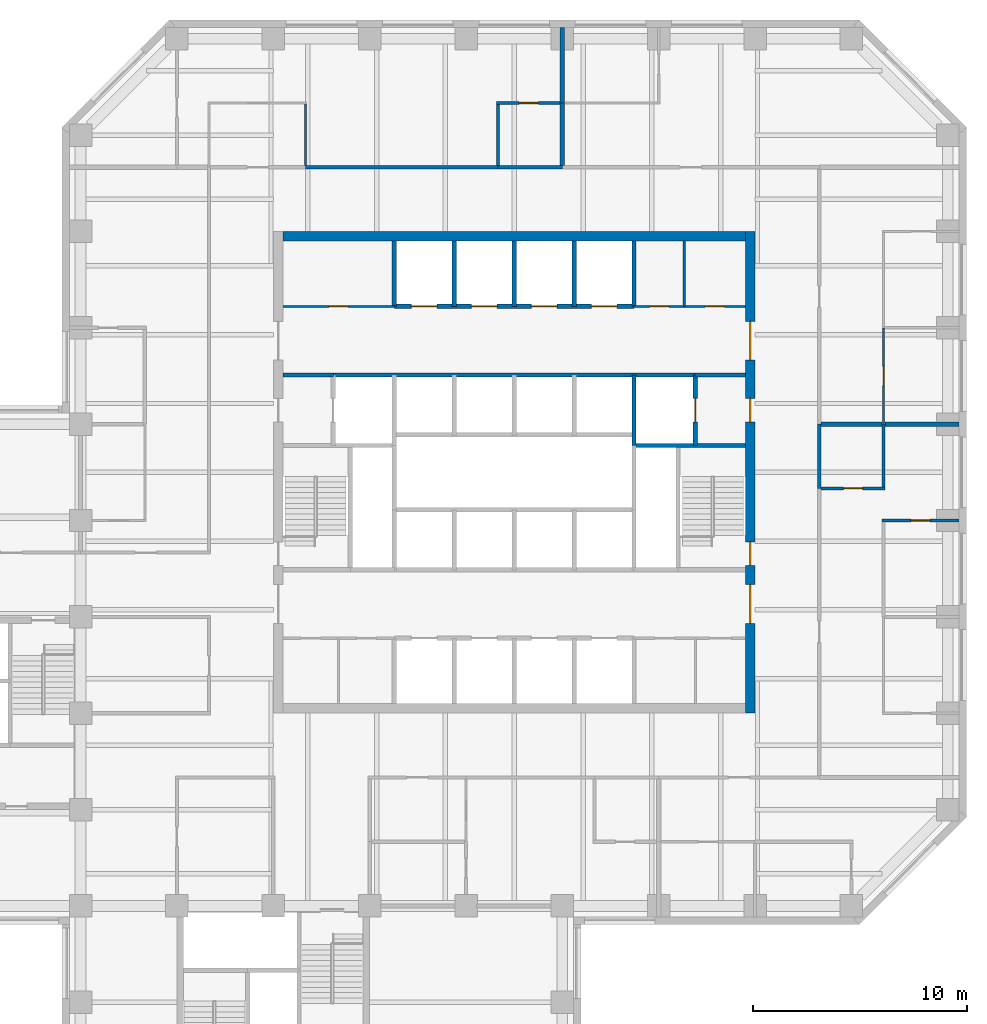
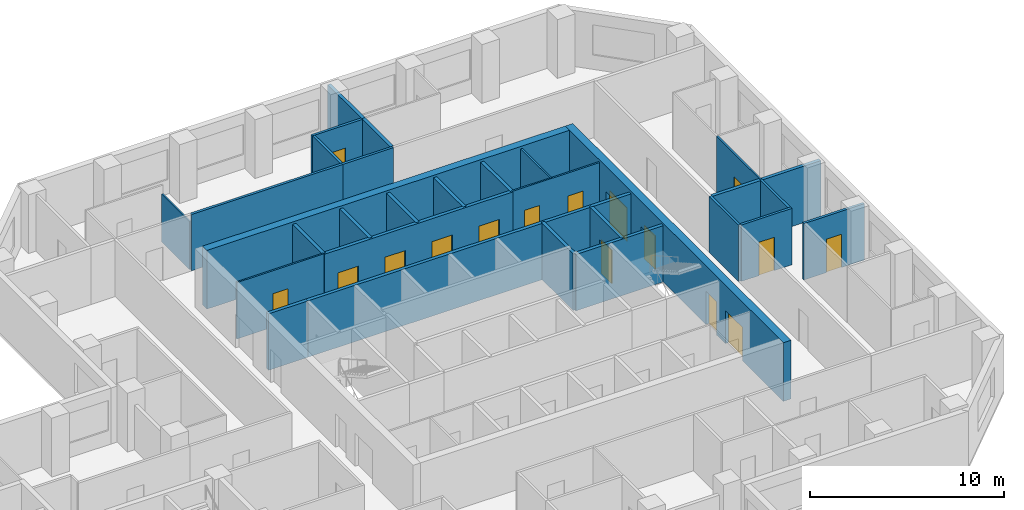
# One storey, part 8 of 11: 31 walls, 16 doors, 16 openings.
"""IFC4 building model written with IfcOpenShell, lengths in metres."""

import ifcopenshell
import ifcopenshell.guid

model = None  # the IFC model being written
_history = None  # IfcOwnerHistory: only IFC2X3 demands one
_inside = {}  # id of a spatial element -> (the spatial element, [elements in it])
_under = {}  # id of a project, library or spatial element -> (it, [spatial elements below it])
_declared = {}  # id of a project -> (the project, [libraries it declares])
_typed = {}  # id of a type object -> (the type object, [elements of that type])
_made_of = {}  # id of a material, layer set ... -> (it, [elements and type objects made of it])


def new_model(schema):
    """Start an empty IFC model of exactly this schema.

    Asked for "IFC4X3", IfcOpenShell would pick the latest addendum, in which some entities
    have other attributes; the version numbers below select the first issue.
    IFC2X3 requires an IfcOwnerHistory on every rooted entity: one is made here for all.
    """
    global model, _history
    if schema == "IFC4X3":
        model = ifcopenshell.file(schema_version=(4, 3, 0, 0))
    else:
        model = ifcopenshell.file(schema=schema)
    _inside.clear()
    _under.clear()
    _declared.clear()
    _typed.clear()
    _made_of.clear()
    _history = None
    if model.schema == "IFC2X3":
        org = make("IfcOrganization", Name="unknown")
        user = make(
            "IfcPersonAndOrganization",
            ThePerson=make("IfcPerson", FamilyName="unknown"),
            TheOrganization=org,
        )
        app = make(
            "IfcApplication",
            ApplicationDeveloper=org,
            Version="unknown",
            ApplicationFullName="unknown",
            ApplicationIdentifier="unknown",
        )
        _history = make(
            "IfcOwnerHistory",
            OwningUser=user,
            OwningApplication=app,
            ChangeAction="ADDED",
            CreationDate=0,
        )
    return model


def make(cls, **values):
    """One entity of the class cls with the attributes given. An attribute that is None is left unset."""
    return model.create_entity(
        cls, **{name: value for name, value in values.items() if value is not None}
    )


def rooted(cls, **values):
    """An entity with a GlobalId (a new one), such as an element, a storey or a relation."""
    return make(cls, GlobalId=ifcopenshell.guid.new(), OwnerHistory=_history, **values)


def si_unit(unit_type, name, prefix=None):
    """IfcSIUnit, for example si_unit("LENGTHUNIT", "METRE", prefix="MILLI")."""
    return make("IfcSIUnit", UnitType=unit_type, Prefix=prefix, Name=name)


def assignment(units):
    """IfcUnitAssignment: the units of a project."""
    return None if units is None else make("IfcUnitAssignment", Units=units)


def point(xyz):
    """IfcCartesianPoint."""
    return None if xyz is None else make("IfcCartesianPoint", Coordinates=xyz)


def direction(xyz):
    """IfcDirection."""
    return None if xyz is None else make("IfcDirection", DirectionRatios=xyz)


def frame(location, z_axis=None, x_axis=None):
    """IfcAxis2Placement3D, a coordinate frame: its origin and axes. An axis left out is left unset."""
    return make(
        "IfcAxis2Placement3D",
        Location=point(location),
        Axis=direction(z_axis),
        RefDirection=direction(x_axis),
    )


def frame_2d(location, x_axis=None):
    """IfcAxis2Placement2D, a coordinate frame in the plane: its origin and x axis."""
    return make(
        "IfcAxis2Placement2D", Location=point(location), RefDirection=direction(x_axis)
    )


def origin():
    """The frame at (0, 0, 0) with its axes left unset."""
    return frame((0.0, 0.0, 0.0))


def place(relative_to, where):
    """IfcLocalPlacement: puts the frame where relative to a parent placement (None: the world)."""
    return make(
        "IfcLocalPlacement", PlacementRelTo=relative_to, RelativePlacement=where
    )


def context(
    kind, dimensions, precision=None, world=None, true_north=None, identifier=None
):
    """IfcGeometricRepresentationContext, for example the 3D "Model" context."""
    return make(
        "IfcGeometricRepresentationContext",
        ContextIdentifier=identifier,
        ContextType=kind,
        CoordinateSpaceDimension=dimensions,
        Precision=precision,
        WorldCoordinateSystem=world,
        TrueNorth=true_north,
    )


def subcontext(parent, identifier, kind, view, scale=None):
    """IfcGeometricRepresentationSubContext, for example "Body" below "Model"."""
    return make(
        "IfcGeometricRepresentationSubContext",
        ContextIdentifier=identifier,
        ContextType=kind,
        ParentContext=parent,
        TargetScale=scale,
        TargetView=view,
    )


def project(units=None, contexts=None):
    """IfcProject with its units and contexts."""
    return rooted(
        "IfcProject",
        Name="project",
        RepresentationContexts=contexts,
        UnitsInContext=assignment(units),
    )


def spatial(cls, under=None, at=None, **own):
    """A site, building, storey or space (cls), placed at a placement, below another one or the project."""
    s = rooted(cls, ObjectPlacement=at, **own)
    if under is not None:
        _under.setdefault(under.id(), (under, []))[1].append(s)
    return s


def profile(cls, at=None, kind="AREA", **sizes):
    """A parametric profile (cls). Its sizes go by their IFC names, for example OverallWidth=200.0."""
    return make(cls, ProfileType=kind, Position=at, **sizes)


def rectangle(**sizes):
    """IfcRectangleProfileDef."""
    return profile("IfcRectangleProfileDef", **sizes)


def extrude(swept, where, along, depth):
    """IfcExtrudedAreaSolid: the profile swept, set in the frame where, extruded along a direction by depth."""
    return make(
        "IfcExtrudedAreaSolid",
        SweptArea=swept,
        Position=where,
        ExtrudedDirection=direction(along),
        Depth=depth,
    )


def shape(context_of_items, identifier, shape_type, items):
    """IfcShapeRepresentation: the items that make up one representation, for example the "Body"."""
    return make(
        "IfcShapeRepresentation",
        ContextOfItems=context_of_items,
        RepresentationIdentifier=identifier,
        RepresentationType=shape_type,
        Items=items,
    )


def material(Name=None, Category=None):
    """IfcMaterial."""
    return make("IfcMaterial", Name=Name, Category=Category)


def layer(
    of_material, thickness, ventilated=None, Name=None, Category=None, Priority=None
):
    """IfcMaterialLayer: one layer of a wall or slab, of a material (None: an air gap)."""
    return make(
        "IfcMaterialLayer",
        Material=of_material,
        LayerThickness=thickness,
        IsVentilated=ventilated,
        Name=Name,
        Category=Category,
        Priority=Priority,
    )


def layer_set(layers, Name=None):
    """IfcMaterialLayerSet."""
    return make("IfcMaterialLayerSet", MaterialLayers=layers, LayerSetName=Name)


def made_of(thing, what):
    """Note that an element or type object is made of a material, layer set ...; save() writes the relation."""
    if what is not None:
        _made_of.setdefault(what.id(), (what, []))[1].append(thing)
    return thing


def type_object(cls, material=None, **own):
    """A type object (cls), such as IfcWallType, which elements share."""
    return made_of(rooted(cls, **own), material)


def element(
    cls,
    number,
    at=None,
    inside=None,
    cuts=None,
    type_object=None,
    material=None,
    context=None,
    identifier="Body",
    shape_type=None,
    held_by="IfcProductDefinitionShape",
    body=None,
    shapes=None,
    **own,
):
    """One element of the class cls, such as IfcWall. Its Tag is "e" and its number.

    at: its placement. inside: the storey or other place that contains it. cuts: it is an
    opening in that element (IfcRelVoidsElement). A single representation is given by context,
    identifier, shape_type and body (its items); several are given by shapes. held_by: the class
    of the entity that holds the representations. save() writes the other relations.
    """
    e = rooted(cls, Tag="e%d" % number, ObjectPlacement=at, **own)
    if body is not None:
        shapes = [shape(context, identifier, shape_type, body)]
    if shapes is not None:
        e.Representation = make(held_by, Representations=shapes)
    if inside is not None:
        _inside.setdefault(inside.id(), (inside, []))[1].append(e)
    if cuts is not None:
        rooted(
            "IfcRelVoidsElement", RelatingBuildingElement=cuts, RelatedOpeningElement=e
        )
    if type_object is not None:
        _typed.setdefault(type_object.id(), (type_object, []))[1].append(e)
    return made_of(e, material)


def fill(opening, filler):
    """IfcRelFillsElement: the door or window that sits in an opening."""
    return rooted(
        "IfcRelFillsElement",
        RelatingOpeningElement=opening,
        RelatedBuildingElement=filler,
    )


def aggregate(whole, parts):
    """IfcRelAggregates: a whole, such as a stair, and the parts it consists of."""
    return rooted("IfcRelAggregates", RelatingObject=whole, RelatedObjects=parts)


def save(model, path):
    """Write the relations noted so far, then the file.

    IfcRelAggregates (storeys below a building ...), IfcRelContainedInSpatialStructure (elements
    in a storey), IfcRelDefinesByType, IfcRelAssociatesMaterial and IfcRelDeclares: one each for
    every whole, place, type object, material and project.
    """
    for whole, parts in _under.values():
        aggregate(whole, parts)
    for where, things in _inside.values():
        rooted(
            "IfcRelContainedInSpatialStructure",
            RelatedElements=things,
            RelatingStructure=where,
        )
    for kind, things in _typed.values():
        rooted("IfcRelDefinesByType", RelatedObjects=things, RelatingType=kind)
    for what, things in _made_of.values():
        rooted("IfcRelAssociatesMaterial", RelatedObjects=things, RelatingMaterial=what)
    for by, libraries in _declared.values():
        rooted("IfcRelDeclares", RelatingContext=by, RelatedDefinitions=libraries)
    model.write(path)


model = new_model("IFC4")

# Units and contexts
model_context = context("Model", 3, precision=1e-05, world=origin(), true_north=direction((0.0, 1.0)))
body_context = subcontext(model_context, "Body", "Model", "MODEL_VIEW")
ifc_project = project(units=[si_unit("LENGTHUNIT", "METRE"), si_unit("AREAUNIT", "SQUARE_METRE"), si_unit("VOLUMEUNIT", "CUBIC_METRE"), si_unit("PLANEANGLEUNIT", "RADIAN"), si_unit("MASSUNIT", "GRAM", prefix="KILO")], contexts=[model_context])

# Site, building, storey
site_placement = place(None, origin())
site = spatial("IfcSite", under=ifc_project, at=site_placement, CompositionType="ELEMENT")
building_placement = place(site_placement, origin())
building = spatial("IfcBuilding", under=site, at=building_placement, Name="Quoin Convention Tower", CompositionType="ELEMENT")
storey_placement = place(building_placement, frame((0.0, 0.0, 130.699951171875)))
storey = spatial("IfcBuildingStorey", under=building, at=storey_placement, Name="L34", CompositionType="ELEMENT", Elevation=130.699951171875)

# Wall, opening, door
ifc_material_1 = material(Name="Plasterboard")
ifc_layer_1 = layer(ifc_material_1, 0.012451171875, Name="Finish")
ifc_material_2 = material(Name="Steel stud framing", Category="steel")
ifc_layer_2 = layer(ifc_material_2, 0.125, Name="Structure")
ifc_layer_3 = layer(ifc_material_1, 0.012451171875, Name="Finish")
ifc_layer_set_1 = layer_set([ifc_layer_1, ifc_layer_2, ifc_layer_3], Name="Steel stud framing")
wall_type_1 = type_object("IfcWallType", Name="Acoustic partition 150", PredefinedType="PARTITIONING", material=ifc_layer_set_1)
wall_1_placement = place(storey_placement, frame((73.425048828125, 58.5, 0.0), z_axis=(0.0, 0.0, 1.0), x_axis=(1.0, 0.0, 0.0)))
wall_1 = element("IfcWall", 1, at=wall_1_placement, inside=storey, type_object=wall_type_1, Name="pw-L34-039", PredefinedType="PARTITIONING", context=body_context, shape_type="SweptSolid", body=[
    extrude(rectangle(XDim=3.599853515625, YDim=0.14990234375, at=frame_2d((1.7998046875, 0.0))), origin(), (0.0, 0.0, 1.0), 3.550048828125),
])
opening_1_placement = place(wall_1_placement, frame((1.35009765625, 0.0, 0.0)))
opening_1 = element("IfcOpeningElement", 2, at=opening_1_placement, cuts=wall_1, Name="Opening DOL7-17", PredefinedType="OPENING", context=body_context, shape_type="SweptSolid", body=[
    extrude(rectangle(XDim=0.89990234375, YDim=2.10009765625, at=frame_2d((0.449951171875, 1.050048828125))), frame((0.0, 0.0849609375, 0.0), z_axis=(0.0, -1.0, 0.0), x_axis=(1.0, 0.0, 0.0)), (0.0, 0.0, 1.0), 0.169921875),
])
ifc_material_3 = material(Name="Steel door leaf", Category="steel")
door_type_1 = type_object("IfcDoorType", Name="Office door 900 x 2100", OperationType="SINGLE_SWING_RIGHT", PredefinedType="DOOR", material=ifc_material_3)
door_1_placement = place(opening_1_placement, origin())
door_1 = element("IfcDoor", 3, at=door_1_placement, inside=storey, type_object=door_type_1, Name="dr-L34-28", OperationType="SINGLE_SWING_RIGHT", OverallHeight=2.10009765625, OverallWidth=0.89990234375, PredefinedType="DOOR", context=body_context, shape_type="SweptSolid", body=[
    extrude(rectangle(XDim=0.89990234375, YDim=2.10009765625, at=frame_2d((0.449951171875, 1.050048828125))), frame((0.0, 0.02490234375, 0.0), z_axis=(0.0, -1.0, 0.0), x_axis=(1.0, 0.0, 0.0)), (0.0, 0.0, 1.0), 0.050048828125),
])
fill(opening_1, door_1)

ifc_layer_4 = layer(ifc_material_1, 0.012451171875, Name="Finish")
ifc_layer_5 = layer(ifc_material_2, 0.074951171875, Name="Structure")
ifc_layer_6 = layer(ifc_material_1, 0.012451171875, Name="Finish")
ifc_layer_set_2 = layer_set([ifc_layer_4, ifc_layer_5, ifc_layer_6], Name="Steel stud framing")
wall_type_2 = type_object("IfcWallType", Name="Core partition wall", PredefinedType="PARTITIONING", material=ifc_layer_set_2)
wall_2_placement = place(storey_placement, frame((45.449951171875, 68.5, 0.0), z_axis=(0.0, 0.0, 1.0), x_axis=(1.0, 0.0, 0.0)))
wall_2 = element("IfcWall", 4, at=wall_2_placement, inside=storey, type_object=wall_type_2, Name="cr-C1-L34-h19000_450", PredefinedType="PARTITIONING", context=body_context, shape_type="SweptSolid", body=[
    extrude(rectangle(XDim=5.199951171875, YDim=0.10009765625, at=frame_2d((2.60009765625, 0.0))), origin(), (0.0, 0.0, 1.0), 3.550048828125),
])
opening_2_placement = place(wall_2_placement, frame((2.14990234375, 0.0, 0.0)))
opening_2 = element("IfcOpeningElement", 5, at=opening_2_placement, cuts=wall_2, Name="Opening DCV0-23", PredefinedType="OPENING", context=body_context, shape_type="SweptSolid", body=[
    extrude(rectangle(XDim=0.89990234375, YDim=2.10009765625, at=frame_2d((0.449951171875, 1.050048828125))), frame((0.0, 0.06005859375, 0.0), z_axis=(0.0, -1.0, 0.0), x_axis=(1.0, 0.0, 0.0)), (0.0, 0.0, 1.0), 0.1201171875),
])
door_type_2 = type_object("IfcDoorType", Name="Core room door 900 x 2100", OperationType="SINGLE_SWING_LEFT", PredefinedType="DOOR", material=ifc_material_3)
door_2_placement = place(opening_2_placement, origin())
door_2 = element("IfcDoor", 6, at=door_2_placement, inside=storey, type_object=door_type_2, Name="cd-C1-L34-CNW0-lobB-CD3409", OperationType="SINGLE_SWING_RIGHT", OverallHeight=2.10009765625, OverallWidth=0.89990234375, PredefinedType="DOOR", context=body_context, shape_type="SweptSolid", body=[
    extrude(rectangle(XDim=0.89990234375, YDim=2.10009765625, at=frame_2d((0.449951171875, 1.050048828125))), frame((0.0, 0.02490234375, 0.0), z_axis=(0.0, -1.0, 0.0), x_axis=(1.0, 0.0, 0.0)), (0.0, 0.0, 1.0), 0.050048828125),
])
fill(opening_2, door_2)

# Wall, openings, doors
wall_3_placement = place(storey_placement, frame((61.85009765625, 68.5, 0.0), z_axis=(0.0, 0.0, 1.0), x_axis=(1.0, 0.0, 0.0)))
wall_3 = element("IfcWall", 7, at=wall_3_placement, inside=storey, type_object=wall_type_2, Name="cr-C1-L34-h19000_16850", PredefinedType="PARTITIONING", context=body_context, shape_type="SweptSolid", body=[
    extrude(rectangle(XDim=5.199951171875, YDim=0.10009765625, at=frame_2d((2.60009765625, 0.0))), origin(), (0.0, 0.0, 1.0), 3.550048828125),
])
opening_3_placement = place(wall_3_placement, frame((3.320068359375, 0.0, 0.0)))
opening_3 = element("IfcOpeningElement", 8, at=opening_3_placement, cuts=wall_3, Name="Opening DCV0-09", PredefinedType="OPENING", context=body_context, shape_type="SweptSolid", body=[
    extrude(rectangle(XDim=0.89990234375, YDim=2.10009765625, at=frame_2d((0.449951171875, 1.050048828125))), frame((0.0, 0.06005859375, 0.0), z_axis=(0.0, -1.0, 0.0), x_axis=(1.0, 0.0, 0.0)), (0.0, 0.0, 1.0), 0.1201171875),
])
opening_4_placement = place(wall_3_placement, frame((0.719970703125, 0.0, 0.0)))
opening_4 = element("IfcOpeningElement", 9, at=opening_4_placement, cuts=wall_3, Name="Opening DCV0-06", PredefinedType="OPENING", context=body_context, shape_type="SweptSolid", body=[
    extrude(rectangle(XDim=0.89990234375, YDim=2.10009765625, at=frame_2d((0.449951171875, 1.050048828125))), frame((0.0, 0.06005859375, 0.0), z_axis=(0.0, -1.0, 0.0), x_axis=(1.0, 0.0, 0.0)), (0.0, 0.0, 1.0), 0.1201171875),
])
door_3_placement = place(opening_3_placement, origin())
door_3 = element("IfcDoor", 10, at=door_3_placement, inside=storey, type_object=door_type_2, Name="cd-C1-L34-CNE0-lobB-CD3407", OperationType="SINGLE_SWING_RIGHT", OverallHeight=2.10009765625, OverallWidth=0.89990234375, PredefinedType="DOOR", context=body_context, shape_type="SweptSolid", body=[
    extrude(rectangle(XDim=0.89990234375, YDim=2.10009765625, at=frame_2d((0.449951171875, 1.050048828125))), frame((0.0, 0.02490234375, 0.0), z_axis=(0.0, -1.0, 0.0), x_axis=(1.0, 0.0, 0.0)), (0.0, 0.0, 1.0), 0.050048828125),
])
fill(opening_3, door_3)
door_4_placement = place(opening_4_placement, origin())
door_4 = element("IfcDoor", 11, at=door_4_placement, inside=storey, type_object=door_type_2, Name="cd-C1-L34-CNE1-lobB-CD3408", OperationType="SINGLE_SWING_RIGHT", OverallHeight=2.10009765625, OverallWidth=0.89990234375, PredefinedType="DOOR", context=body_context, shape_type="SweptSolid", body=[
    extrude(rectangle(XDim=0.89990234375, YDim=2.10009765625, at=frame_2d((0.449951171875, 1.050048828125))), frame((0.0, 0.02490234375, 0.0), z_axis=(0.0, -1.0, 0.0), x_axis=(1.0, 0.0, 0.0)), (0.0, 0.0, 1.0), 0.050048828125),
])
fill(opening_4, door_4)

# Walls
wall_4_placement = place(storey_placement, frame((64.18994140625, 68.5, 0.0), z_axis=(0.0, 0.0, 1.0), x_axis=(0.0, 1.0, 0.0)))
element("IfcWall", 12, at=wall_4_placement, inside=storey, type_object=wall_type_2, Name="cr-C1-L34-v19190_19000", PredefinedType="PARTITIONING", context=body_context, shape_type="SweptSolid", body=[
    extrude(rectangle(XDim=3.050048828125, YDim=0.10009765625, at=frame_2d((1.52490234375, 0.0))), origin(), (0.0, 0.0, 1.0), 3.550048828125),
])
ifc_material_4 = material(Name="Concrete C50", Category="concrete")
ifc_layer_7 = layer(ifc_material_4, 0.199951171875)
ifc_layer_set_3 = layer_set([ifc_layer_7], Name="Concrete C50")
wall_type_3 = type_object("IfcWallType", Name="Core shaft wall", PredefinedType="SOLIDWALL", material=ifc_layer_set_3)
wall_5_placement = place(storey_placement, frame((61.85009765625, 62.0, 0.0), z_axis=(0.0, 0.0, 1.0), x_axis=(1.0, 0.0, 0.0)))
element("IfcWall", 13, at=wall_5_placement, inside=storey, type_object=wall_type_3, Name="cr-C1-L34-h12500_16850", PredefinedType="SOLIDWALL", context=body_context, shape_type="SweptSolid", body=[
    extrude(rectangle(XDim=5.199951171875, YDim=0.199951171875, at=frame_2d((2.60009765625, 0.0))), origin(), (0.0, 0.0, 1.0), 3.550048828125),
])
for number, where, z_axis, x_axis, name in (
    (14, (45.449951171875, 65.300048828125, 0.0), (0.0, 0.0, 1.0), (1.0, 0.0, 0.0), "cr-C1-L34-h15800_450"),
    (15, (64.699951171875, 65.300048828125, 0.0), (0.0, 0.0, 1.0), (1.0, 0.0, 0.0), "cr-C1-L34-h15800_19700"),
):
    element("IfcWall", number, at=place(storey_placement, frame(where, z_axis=z_axis, x_axis=x_axis)), inside=storey, type_object=wall_type_3, Name=name, PredefinedType="SOLIDWALL", context=body_context, shape_type="SweptSolid", body=[
        extrude(rectangle(XDim=2.35009765625, YDim=0.199951171875, at=frame_2d((1.175048828125, 0.0))), origin(), (0.0, 0.0, 1.0), 3.550048828125),
    ])
wall_6_placement = place(storey_placement, frame((47.800048828125, 65.300048828125, 0.0), z_axis=(0.0, 0.0, 1.0), x_axis=(1.0, 0.0, 0.0)))
element("IfcWall", 16, at=wall_6_placement, inside=storey, type_object=wall_type_3, Name="cr-C1-L34-h15800_2800", PredefinedType="SOLIDWALL", context=body_context, shape_type="SweptSolid", body=[
    extrude(rectangle(XDim=16.89990234375, YDim=0.199951171875, at=frame_2d((8.449951171875, 0.0))), origin(), (0.0, 0.0, 1.0), 3.550048828125),
])

# Wall, openings, doors
wall_7_placement = place(storey_placement, frame((50.64990234375, 68.5, 0.0), z_axis=(0.0, 0.0, 1.0), x_axis=(1.0, 0.0, 0.0)))
wall_7 = element("IfcWall", 17, at=wall_7_placement, inside=storey, type_object=wall_type_3, Name="cr-C1-L34-h19000_5650", PredefinedType="SOLIDWALL", context=body_context, shape_type="SweptSolid", body=[
    extrude(rectangle(XDim=11.2001953125, YDim=0.199951171875, at=frame_2d((5.60009765625, 0.0))), origin(), (0.0, 0.0, 1.0), 3.550048828125),
])
opening_5_placement = place(wall_7_placement, frame((0.800048828125, 0.0, 0.0)))
opening_5 = element("IfcOpeningElement", 18, at=opening_5_placement, cuts=wall_7, Name="Opening LDL5", PredefinedType="OPENING", context=body_context, shape_type="SweptSolid", body=[
    extrude(rectangle(XDim=1.199951171875, YDim=2.10009765625, at=frame_2d((0.60009765625, 1.050048828125))), frame((0.0, 0.10986328125, 0.0), z_axis=(0.0, -1.0, 0.0), x_axis=(1.0, 0.0, 0.0)), (0.0, 0.0, 1.0), 0.219970703125),
])
opening_6_placement = place(wall_7_placement, frame((3.60009765625, 0.0, 0.0)))
opening_6 = element("IfcOpeningElement", 19, at=opening_6_placement, cuts=wall_7, Name="Opening LDL6", PredefinedType="OPENING", context=body_context, shape_type="SweptSolid", body=[
    extrude(rectangle(XDim=1.199951171875, YDim=2.10009765625, at=frame_2d((0.60009765625, 1.050048828125))), frame((0.0, 0.10986328125, 0.0), z_axis=(0.0, -1.0, 0.0), x_axis=(1.0, 0.0, 0.0)), (0.0, 0.0, 1.0), 0.219970703125),
])
opening_7_placement = place(wall_7_placement, frame((6.39990234375, 0.0, 0.0)))
opening_7 = element("IfcOpeningElement", 20, at=opening_7_placement, cuts=wall_7, Name="Opening LDL7", PredefinedType="OPENING", context=body_context, shape_type="SweptSolid", body=[
    extrude(rectangle(XDim=1.199951171875, YDim=2.10009765625, at=frame_2d((0.60009765625, 1.050048828125))), frame((0.0, 0.10986328125, 0.0), z_axis=(0.0, -1.0, 0.0), x_axis=(1.0, 0.0, 0.0)), (0.0, 0.0, 1.0), 0.219970703125),
])
opening_8_placement = place(wall_7_placement, frame((9.199951171875, 0.0, 0.0)))
opening_8 = element("IfcOpeningElement", 21, at=opening_8_placement, cuts=wall_7, Name="Opening LDL8", PredefinedType="OPENING", context=body_context, shape_type="SweptSolid", body=[
    extrude(rectangle(XDim=1.199951171875, YDim=2.10009765625, at=frame_2d((0.60009765625, 1.050048828125))), frame((0.0, 0.10986328125, 0.0), z_axis=(0.0, -1.0, 0.0), x_axis=(1.0, 0.0, 0.0)), (0.0, 0.0, 1.0), 0.219970703125),
])
door_type_3 = type_object("IfcDoorType", Name="Lift landing door 1200 x 2100", OperationType="DOUBLE_DOOR_SLIDING", PredefinedType="DOOR", material=ifc_material_3)
door_5_placement = place(opening_5_placement, origin())
door_5 = element("IfcDoor", 22, at=door_5_placement, inside=storey, type_object=door_type_3, Name="cd-C1-L34-R40-lobB-LDL5", OperationType="DOUBLE_DOOR_SLIDING", OverallHeight=2.10009765625, OverallWidth=1.199951171875, PredefinedType="DOOR", context=body_context, shape_type="SweptSolid", body=[
    extrude(rectangle(XDim=1.199951171875, YDim=2.10009765625, at=frame_2d((0.60009765625, 1.050048828125))), frame((0.0, 0.02490234375, 0.0), z_axis=(0.0, -1.0, 0.0), x_axis=(1.0, 0.0, 0.0)), (0.0, 0.0, 1.0), 0.050048828125),
])
fill(opening_5, door_5)
door_6_placement = place(opening_6_placement, origin())
door_6 = element("IfcDoor", 23, at=door_6_placement, inside=storey, type_object=door_type_3, Name="cd-C1-L34-R41-lobB-LDL6", OperationType="DOUBLE_DOOR_SLIDING", OverallHeight=2.10009765625, OverallWidth=1.199951171875, PredefinedType="DOOR", context=body_context, shape_type="SweptSolid", body=[
    extrude(rectangle(XDim=1.199951171875, YDim=2.10009765625, at=frame_2d((0.60009765625, 1.050048828125))), frame((0.0, 0.02490234375, 0.0), z_axis=(0.0, -1.0, 0.0), x_axis=(1.0, 0.0, 0.0)), (0.0, 0.0, 1.0), 0.050048828125),
])
fill(opening_6, door_6)
door_7_placement = place(opening_7_placement, origin())
door_7 = element("IfcDoor", 24, at=door_7_placement, inside=storey, type_object=door_type_3, Name="cd-C1-L34-R42-lobB-LDL7", OperationType="DOUBLE_DOOR_SLIDING", OverallHeight=2.10009765625, OverallWidth=1.199951171875, PredefinedType="DOOR", context=body_context, shape_type="SweptSolid", body=[
    extrude(rectangle(XDim=1.199951171875, YDim=2.10009765625, at=frame_2d((0.60009765625, 1.050048828125))), frame((0.0, 0.02490234375, 0.0), z_axis=(0.0, -1.0, 0.0), x_axis=(1.0, 0.0, 0.0)), (0.0, 0.0, 1.0), 0.050048828125),
])
fill(opening_7, door_7)
door_8_placement = place(opening_8_placement, origin())
door_8 = element("IfcDoor", 25, at=door_8_placement, inside=storey, type_object=door_type_3, Name="cd-C1-L34-R43-lobB-LDL8", OperationType="DOUBLE_DOOR_SLIDING", OverallHeight=2.10009765625, OverallWidth=1.199951171875, PredefinedType="DOOR", context=body_context, shape_type="SweptSolid", body=[
    extrude(rectangle(XDim=1.199951171875, YDim=2.10009765625, at=frame_2d((0.60009765625, 1.050048828125))), frame((0.0, 0.02490234375, 0.0), z_axis=(0.0, -1.0, 0.0), x_axis=(1.0, 0.0, 0.0)), (0.0, 0.0, 1.0), 0.050048828125),
])
fill(opening_8, door_8)

# Walls
for number, where, z_axis, x_axis, name in (
    (26, (50.64990234375, 68.5, 0.0), (0.0, 0.0, 1.0), (0.0, 1.0, 0.0), "cr-C1-L34-v5650_19000"),
    (27, (53.449951171875, 68.5, 0.0), (0.0, 0.0, 1.0), (0.0, 1.0, 0.0), "cr-C1-L34-v8450_19000"),
    (28, (56.25, 68.5, 0.0), (0.0, 0.0, 1.0), (0.0, 1.0, 0.0), "cr-C1-L34-v11250_19000"),
    (29, (59.050048828125, 68.5, 0.0), (0.0, 0.0, 1.0), (0.0, 1.0, 0.0), "cr-C1-L34-v14050_19000"),
):
    element("IfcWall", number, at=place(storey_placement, frame(where, z_axis=z_axis, x_axis=x_axis)), inside=storey, type_object=wall_type_3, Name=name, PredefinedType="SOLIDWALL", context=body_context, shape_type="SweptSolid", body=[
        extrude(rectangle(XDim=3.050048828125, YDim=0.199951171875, at=frame_2d((1.52490234375, 0.0))), origin(), (0.0, 0.0, 1.0), 3.550048828125),
    ])
wall_8_placement = place(storey_placement, frame((61.85009765625, 62.0, 0.0), z_axis=(0.0, 0.0, 1.0), x_axis=(0.0, 1.0, 0.0)))
element("IfcWall", 30, at=wall_8_placement, inside=storey, type_object=wall_type_3, Name="cr-C1-L34-v16850_12500", PredefinedType="SOLIDWALL", context=body_context, shape_type="SweptSolid", body=[
    extrude(rectangle(XDim=3.300048828125, YDim=0.199951171875, at=frame_2d((1.64990234375, 0.0))), origin(), (0.0, 0.0, 1.0), 3.550048828125),
])
wall_9_placement = place(storey_placement, frame((61.85009765625, 68.5, 0.0), z_axis=(0.0, 0.0, 1.0), x_axis=(0.0, 1.0, 0.0)))
element("IfcWall", 31, at=wall_9_placement, inside=storey, type_object=wall_type_3, Name="cr-C1-L34-v16850_19000", PredefinedType="SOLIDWALL", context=body_context, shape_type="SweptSolid", body=[
    extrude(rectangle(XDim=3.050048828125, YDim=0.199951171875, at=frame_2d((1.52490234375, 0.0))), origin(), (0.0, 0.0, 1.0), 3.550048828125),
])

# Wall, opening, door
wall_10_placement = place(storey_placement, frame((64.699951171875, 62.0, 0.0), z_axis=(0.0, 0.0, 1.0), x_axis=(0.0, 1.0, 0.0)))
wall_10 = element("IfcWall", 32, at=wall_10_placement, inside=storey, type_object=wall_type_3, Name="cr-C1-L34-v19700_12500", PredefinedType="SOLIDWALL", context=body_context, shape_type="SweptSolid", body=[
    extrude(rectangle(XDim=3.300048828125, YDim=0.199951171875, at=frame_2d((1.64990234375, 0.0))), origin(), (0.0, 0.0, 1.0), 3.550048828125),
])
opening_9_placement = place(wall_10_placement, frame((1.10009765625, 0.0, 0.0)))
opening_9 = element("IfcOpeningElement", 33, at=opening_9_placement, cuts=wall_10, Name="Opening LDFL2", PredefinedType="OPENING", context=body_context, shape_type="SweptSolid", body=[
    extrude(rectangle(XDim=1.10009765625, YDim=2.10009765625, at=frame_2d((0.550048828125, 1.050048828125))), frame((0.0, 0.10986328125, 0.0), z_axis=(0.0, -1.0, 0.0), x_axis=(1.0, 0.0, 0.0)), (0.0, 0.0, 1.0), 0.219970703125),
])
door_type_4 = type_object("IfcDoorType", Name="Lift landing door 1100 x 2100", OperationType="DOUBLE_DOOR_SLIDING", PredefinedType="DOOR", material=ifc_material_3)
door_9_placement = place(opening_9_placement, origin())
door_9 = element("IfcDoor", 34, at=door_9_placement, inside=storey, type_object=door_type_4, Name="cd-C1-L34-FLE-FFE-LDFL2", OperationType="DOUBLE_DOOR_SLIDING", OverallHeight=2.10009765625, OverallWidth=1.10009765625, PredefinedType="DOOR", context=body_context, shape_type="SweptSolid", body=[
    extrude(rectangle(XDim=1.10009765625, YDim=2.10009765625, at=frame_2d((0.550048828125, 1.050048828125))), frame((0.0, 0.02490234375, 0.0), z_axis=(0.0, -1.0, 0.0), x_axis=(1.0, 0.0, 0.0)), (0.0, 0.0, 1.0), 0.050048828125),
])
fill(opening_9, door_9)

# Walls
ifc_layer_8 = layer(ifc_material_1, 0.012451171875, Name="Finish")
ifc_layer_9 = layer(ifc_material_2, 0.125, Name="Structure")
ifc_layer_10 = layer(ifc_material_1, 0.012451171875, Name="Finish")
ifc_layer_set_4 = layer_set([ifc_layer_8, ifc_layer_9, ifc_layer_10], Name="Steel stud framing")
wall_type_4 = type_object("IfcWallType", Name="Corridor wall 150", PredefinedType="PARTITIONING", material=ifc_layer_set_4)
wall_11_placement = place(storey_placement, frame((46.5, 75.0, 0.0), z_axis=(0.0, 0.0, 1.0), x_axis=(1.0, 0.0, 0.0)))
element("IfcWall", 35, at=wall_11_placement, inside=storey, type_object=wall_type_4, Name="pw-L34-051", PredefinedType="PARTITIONING", context=body_context, shape_type="SweptSolid", body=[
    extrude(rectangle(XDim=9.0, YDim=0.14990234375, at=frame_2d((4.5, 0.0))), origin(), (0.0, 0.0, 1.0), 3.550048828125),
])
for number, where, z_axis, x_axis, name in (
    (36, (55.5, 75.0, 0.0), (0.0, 0.0, 1.0), (1.0, 0.0, 0.0), "pw-L34-052"),
    (37, (70.5, 60.0, 0.0), (0.0, 0.0, 1.0), (0.0, 1.0, 0.0), "pw-L34-094"),
):
    element("IfcWall", number, at=place(storey_placement, frame(where, z_axis=z_axis, x_axis=x_axis)), inside=storey, type_object=wall_type_4, Name=name, PredefinedType="PARTITIONING", context=body_context, shape_type="SweptSolid", body=[
        extrude(rectangle(XDim=3.0, YDim=0.14990234375, at=frame_2d((1.5, 0.0))), origin(), (0.0, 0.0, 1.0), 3.550048828125),
    ])
ifc_material_5 = material(Name="Concrete C65", Category="concrete")
ifc_layer_11 = layer(ifc_material_5, 0.449951171875)
ifc_layer_set_5 = layer_set([ifc_layer_11], Name="Concrete C65")
wall_type_5 = type_object("IfcWallType", Name="RC CORE WALL 450 C65", PredefinedType="SHEAR", material=ifc_layer_set_5)
wall_12_placement = place(storey_placement, frame((45.449951171875, 71.77490234375, 0.0), z_axis=(0.0, 0.0, 1.0), x_axis=(1.0, 0.0, 0.0)))
element("IfcWall", 38, at=wall_12_placement, inside=storey, type_object=wall_type_5, Name="cwl-C1-L34-N", PredefinedType="SHEAR", context=body_context, shape_type="SweptSolid", body=[
    extrude(rectangle(XDim=21.60009765625, YDim=0.449951171875, at=frame_2d((10.800048828125, 0.0))), origin(), (0.0, 0.0, 1.0), 3.699951171875),
])

# Wall, openings, doors
wall_13_placement = place(storey_placement, frame((67.27490234375, 49.5, 0.0), z_axis=(0.0, 0.0, 1.0), x_axis=(0.0, 1.0, 0.0)))
wall_13 = element("IfcWall", 39, at=wall_13_placement, inside=storey, type_object=wall_type_5, Name="cwl-C1-L34-E", PredefinedType="SHEAR", context=body_context, shape_type="SweptSolid", body=[
    extrude(rectangle(XDim=22.5, YDim=0.449951171875, at=frame_2d((11.25, 0.0))), origin(), (0.0, 0.0, 1.0), 3.699951171875),
])
opening_10_placement = place(wall_13_placement, frame((4.199951171875, 0.0, 0.0)))
opening_10 = element("IfcOpeningElement", 40, at=opening_10_placement, cuts=wall_13, Name="Opening DCV0-57", PredefinedType="OPENING", context=body_context, shape_type="SweptSolid", body=[
    extrude(rectangle(XDim=1.800048828125, YDim=2.10009765625, at=frame_2d((0.89990234375, 1.050048828125))), frame((0.0, 0.23486328125, 0.0), z_axis=(0.0, -1.0, 0.0), x_axis=(1.0, 0.0, 0.0)), (0.0, 0.0, 1.0), 0.469970703125),
])
opening_11_placement = place(wall_13_placement, frame((6.89990234375, 0.0, 0.0)))
opening_11 = element("IfcOpeningElement", 41, at=opening_11_placement, cuts=wall_13, Name="Opening SD2", PredefinedType="OPENING", context=body_context, shape_type="SweptSolid", body=[
    extrude(rectangle(XDim=1.10009765625, YDim=2.10009765625, at=frame_2d((0.550048828125, 1.050048828125))), frame((0.0, 0.23486328125, 0.0), z_axis=(0.0, -1.0, 0.0), x_axis=(1.0, 0.0, 0.0)), (0.0, 0.0, 1.0), 0.469970703125),
])
opening_12_placement = place(wall_13_placement, frame((13.60009765625, 0.0, 0.0)))
opening_12 = element("IfcOpeningElement", 42, at=opening_12_placement, cuts=wall_13, Name="Opening DCV0-56", PredefinedType="OPENING", context=body_context, shape_type="SweptSolid", body=[
    extrude(rectangle(XDim=1.10009765625, YDim=2.10009765625, at=frame_2d((0.550048828125, 1.050048828125))), frame((0.0, 0.23486328125, 0.0), z_axis=(0.0, -1.0, 0.0), x_axis=(1.0, 0.0, 0.0)), (0.0, 0.0, 1.0), 0.469970703125),
])
opening_13_placement = place(wall_13_placement, frame((16.5, 0.0, 0.0)))
opening_13 = element("IfcOpeningElement", 43, at=opening_13_placement, cuts=wall_13, Name="Opening DCV0-57", PredefinedType="OPENING", context=body_context, shape_type="SweptSolid", body=[
    extrude(rectangle(XDim=1.800048828125, YDim=2.10009765625, at=frame_2d((0.89990234375, 1.050048828125))), frame((0.0, 0.23486328125, 0.0), z_axis=(0.0, -1.0, 0.0), x_axis=(1.0, 0.0, 0.0)), (0.0, 0.0, 1.0), 0.469970703125),
])
door_type_5 = type_object("IfcDoorType", Name="Fire-fighting lobby door 1100 x 2100", OperationType="SINGLE_SWING_LEFT", PredefinedType="DOOR", material=ifc_material_3)
door_10_placement = place(opening_12_placement, origin())
door_10 = element("IfcDoor", 44, at=door_10_placement, inside=storey, type_object=door_type_5, Name="cd-C1-L34-FFE-E", OperationType="SINGLE_SWING_RIGHT", OverallHeight=2.10009765625, OverallWidth=1.10009765625, PredefinedType="DOOR", context=body_context, shape_type="SweptSolid", body=[
    extrude(rectangle(XDim=1.10009765625, YDim=2.10009765625, at=frame_2d((0.550048828125, 1.050048828125))), frame((0.0, 0.02490234375, 0.0), z_axis=(0.0, -1.0, 0.0), x_axis=(1.0, 0.0, 0.0)), (0.0, 0.0, 1.0), 0.050048828125),
])
fill(opening_12, door_10)
door_type_6 = type_object("IfcDoorType", Name="Lift lobby door 1800 x 2100", OperationType="SINGLE_SWING_LEFT", PredefinedType="DOOR", material=ifc_material_3)
door_11_placement = place(opening_10_placement, origin())
door_11 = element("IfcDoor", 45, at=door_11_placement, inside=storey, type_object=door_type_6, Name="cd-C1-L34-lobA-E", OperationType="SINGLE_SWING_RIGHT", OverallHeight=2.10009765625, OverallWidth=1.800048828125, PredefinedType="DOOR", context=body_context, shape_type="SweptSolid", body=[
    extrude(rectangle(XDim=1.800048828125, YDim=2.10009765625, at=frame_2d((0.89990234375, 1.050048828125))), frame((0.0, 0.02490234375, 0.0), z_axis=(0.0, -1.0, 0.0), x_axis=(1.0, 0.0, 0.0)), (0.0, 0.0, 1.0), 0.050048828125),
])
fill(opening_10, door_11)
door_12_placement = place(opening_13_placement, origin())
door_12 = element("IfcDoor", 46, at=door_12_placement, inside=storey, type_object=door_type_6, Name="cd-C1-L34-lobB-E", OperationType="SINGLE_SWING_RIGHT", OverallHeight=2.10009765625, OverallWidth=1.800048828125, PredefinedType="DOOR", context=body_context, shape_type="SweptSolid", body=[
    extrude(rectangle(XDim=1.800048828125, YDim=2.10009765625, at=frame_2d((0.89990234375, 1.050048828125))), frame((0.0, 0.02490234375, 0.0), z_axis=(0.0, -1.0, 0.0), x_axis=(1.0, 0.0, 0.0)), (0.0, 0.0, 1.0), 0.050048828125),
])
fill(opening_13, door_12)
door_type_7 = type_object("IfcDoorType", Name="Stair door 1100 x 2100", OperationType="SINGLE_SWING_RIGHT", PredefinedType="DOOR", material=ifc_material_3)
door_13_placement = place(opening_11_placement, origin())
door_13 = element("IfcDoor", 47, at=door_13_placement, inside=storey, type_object=door_type_7, Name="cd-C1-L34-STE-E", OperationType="SINGLE_SWING_LEFT", OverallHeight=2.10009765625, OverallWidth=1.10009765625, PredefinedType="DOOR", context=body_context, shape_type="SweptSolid", body=[
    extrude(rectangle(XDim=1.10009765625, YDim=2.10009765625, at=frame_2d((0.550048828125, 1.050048828125))), frame((0.0, 0.02490234375, 0.0), z_axis=(0.0, -1.0, 0.0), x_axis=(1.0, 0.0, 0.0)), (0.0, 0.0, 1.0), 0.050048828125),
])
fill(opening_11, door_13)

# Wall, opening, door
ifc_layer_12 = layer(ifc_material_1, 0.012451171875, Name="Finish")
ifc_layer_13 = layer(ifc_material_2, 0.074951171875, Name="Structure")
ifc_layer_14 = layer(ifc_material_1, 0.012451171875, Name="Finish")
ifc_layer_set_6 = layer_set([ifc_layer_12, ifc_layer_13, ifc_layer_14], Name="Steel stud framing")
wall_type_6 = type_object("IfcWallType", Name="Stud partition 100", PredefinedType="PARTITIONING", material=ifc_layer_set_6)
wall_14_placement = place(storey_placement, frame((73.5, 63.0, 0.0), z_axis=(0.0, 0.0, 1.0), x_axis=(0.0, 1.0, 0.0)))
wall_14 = element("IfcWall", 48, at=wall_14_placement, inside=storey, type_object=wall_type_6, Name="pw-L34-100", PredefinedType="PARTITIONING", context=body_context, shape_type="SweptSolid", body=[
    extrude(rectangle(XDim=4.5, YDim=0.10009765625, at=frame_2d((2.25, 0.0))), origin(), (0.0, 0.0, 1.0), 3.550048828125),
])
opening_14_placement = place(wall_14_placement, frame((1.800048828125, 0.0, 0.0)))
opening_14 = element("IfcOpeningElement", 49, at=opening_14_placement, cuts=wall_14, Name="Opening DOL7-34", PredefinedType="OPENING", context=body_context, shape_type="SweptSolid", body=[
    extrude(rectangle(XDim=0.89990234375, YDim=2.10009765625, at=frame_2d((0.449951171875, 1.050048828125))), frame((0.0, 0.06005859375, 0.0), z_axis=(0.0, -1.0, 0.0), x_axis=(1.0, 0.0, 0.0)), (0.0, 0.0, 1.0), 0.1201171875),
])
door_14_placement = place(opening_14_placement, origin())
door_14 = element("IfcDoor", 50, at=door_14_placement, inside=storey, type_object=door_type_1, Name="dr-L34-30", OperationType="SINGLE_SWING_LEFT", OverallHeight=2.10009765625, OverallWidth=0.89990234375, PredefinedType="DOOR", context=body_context, shape_type="SweptSolid", body=[
    extrude(rectangle(XDim=0.89990234375, YDim=2.10009765625, at=frame_2d((0.449951171875, 1.050048828125))), frame((0.0, 0.02490234375, 0.0), z_axis=(0.0, -1.0, 0.0), x_axis=(1.0, 0.0, 0.0)), (0.0, 0.0, 1.0), 0.050048828125),
])
fill(opening_14, door_14)

# Walls
ifc_layer_15 = layer(ifc_material_1, 0.012451171875, Name="Finish")
ifc_layer_16 = layer(ifc_material_2, 0.074951171875, Name="Structure")
ifc_layer_17 = layer(ifc_material_1, 0.012451171875, Name="Finish")
ifc_layer_set_7 = layer_set([ifc_layer_15, ifc_layer_16, ifc_layer_17], Name="Steel stud framing")
wall_type_7 = type_object("IfcWallType", Name="Stud partition 100 under beam 528", PredefinedType="PARTITIONING", material=ifc_layer_set_7)
wall_15_placement = place(storey_placement, frame((46.5, 75.074951171875, 0.0), z_axis=(0.0, 0.0, 1.0), x_axis=(0.0, 1.0, 0.0)))
element("IfcWall", 51, at=wall_15_placement, inside=storey, type_object=wall_type_7, Name="pw-L34-103", PredefinedType="PARTITIONING", context=body_context, shape_type="SweptSolid", body=[
    extrude(rectangle(XDim=2.875, YDim=0.10009765625, at=frame_2d((1.4375, 0.0))), origin(), (0.0, 0.0, 1.0), 3.02197265625),
])
ifc_layer_18 = layer(ifc_material_1, 0.012451171875, Name="Finish")
ifc_layer_19 = layer(ifc_material_2, 0.175048828125, Name="Structure")
ifc_layer_20 = layer(ifc_material_1, 0.012451171875, Name="Finish")
ifc_layer_set_8 = layer_set([ifc_layer_18, ifc_layer_19, ifc_layer_20], Name="Steel stud framing")
wall_type_8 = type_object("IfcWallType", Name="Tenancy demising wall 200", PredefinedType="PARTITIONING", material=ifc_layer_set_8)
wall_16_placement = place(storey_placement, frame((70.574951171875, 63.0, 0.0), z_axis=(0.0, 0.0, 1.0), x_axis=(1.0, 0.0, 0.0)))
element("IfcWall", 52, at=wall_16_placement, inside=storey, type_object=wall_type_8, Name="pw-L34-043", PredefinedType="PARTITIONING", context=body_context, shape_type="SweptSolid", body=[
    extrude(rectangle(XDim=2.85009765625, YDim=0.199951171875, at=frame_2d((1.425048828125, 0.0))), origin(), (0.0, 0.0, 1.0), 3.550048828125),
])
wall_17_placement = place(storey_placement, frame((73.574951171875, 63.0, 0.0), z_axis=(0.0, 0.0, 1.0), x_axis=(1.0, 0.0, 0.0)))
element("IfcWall", 53, at=wall_17_placement, inside=storey, type_object=wall_type_8, Name="pw-L34-044", PredefinedType="PARTITIONING", context=body_context, shape_type="SweptSolid", body=[
    extrude(rectangle(XDim=3.449951171875, YDim=0.199951171875, at=frame_2d((1.72509765625, 0.0))), origin(), (0.0, 0.0, 1.0), 3.550048828125),
])
wall_18_placement = place(storey_placement, frame((58.5, 75.074951171875, 0.0), z_axis=(0.0, 0.0, 1.0), x_axis=(0.0, 1.0, 0.0)))
element("IfcWall", 54, at=wall_18_placement, inside=storey, type_object=wall_type_8, Name="pw-L34-105", PredefinedType="PARTITIONING", context=body_context, shape_type="SweptSolid", body=[
    extrude(rectangle(XDim=2.925048828125, YDim=0.199951171875, at=frame_2d((1.46240234375, 0.0))), origin(), (0.0, 0.0, 1.0), 3.550048828125),
])
wall_19_placement = place(storey_placement, frame((58.5, 78.0, 0.0), z_axis=(0.0, 0.0, 1.0), x_axis=(0.0, 1.0, 0.0)))
element("IfcWall", 55, at=wall_19_placement, inside=storey, type_object=wall_type_8, Name="pw-L34-107", PredefinedType="PARTITIONING", context=body_context, shape_type="SweptSolid", body=[
    extrude(rectangle(XDim=3.52490234375, YDim=0.199951171875, at=frame_2d((1.762451171875, 0.0))), origin(), (0.0, 0.0, 1.0), 3.550048828125),
])

# Wall, opening, door
ifc_layer_21 = layer(ifc_material_1, 0.012451171875, Name="Finish")
ifc_layer_22 = layer(ifc_material_2, 0.125, Name="Structure")
ifc_layer_23 = layer(ifc_material_1, 0.012451171875, Name="Finish")
ifc_layer_set_9 = layer_set([ifc_layer_21, ifc_layer_22, ifc_layer_23], Name="Steel stud framing")
wall_type_9 = type_object("IfcWallType", Name="Wet area partition 150", PredefinedType="PARTITIONING", material=ifc_layer_set_9)
wall_20_placement = place(storey_placement, frame((70.574951171875, 60.0, 0.0), z_axis=(0.0, 0.0, 1.0), x_axis=(1.0, 0.0, 0.0)))
wall_20 = element("IfcWall", 56, at=wall_20_placement, inside=storey, type_object=wall_type_9, Name="pw-L34-041", PredefinedType="PARTITIONING", context=body_context, shape_type="SweptSolid", body=[
    extrude(rectangle(XDim=3.0, YDim=0.14990234375, at=frame_2d((1.5, 0.0))), origin(), (0.0, 0.0, 1.0), 3.550048828125),
])
opening_15_placement = place(wall_20_placement, frame((1.050048828125, 0.0, 0.0)))
opening_15 = element("IfcOpeningElement", 57, at=opening_15_placement, cuts=wall_20, Name="Opening DOL7-18", PredefinedType="OPENING", context=body_context, shape_type="SweptSolid", body=[
    extrude(rectangle(XDim=0.89990234375, YDim=2.10009765625, at=frame_2d((0.449951171875, 1.050048828125))), frame((0.0, 0.0849609375, 0.0), z_axis=(0.0, -1.0, 0.0), x_axis=(1.0, 0.0, 0.0)), (0.0, 0.0, 1.0), 0.169921875),
])
door_15_placement = place(opening_15_placement, frame((0.89990234375, 0.0, 0.0), z_axis=(0.0, 0.0, 1.0), x_axis=(-1.0, 0.0, 0.0)))
door_15 = element("IfcDoor", 58, at=door_15_placement, inside=storey, type_object=door_type_1, Name="dr-L34-27", OperationType="SINGLE_SWING_LEFT", OverallHeight=2.10009765625, OverallWidth=0.89990234375, PredefinedType="DOOR", context=body_context, shape_type="SweptSolid", body=[
    extrude(rectangle(XDim=0.89990234375, YDim=2.10009765625, at=frame_2d((0.449951171875, 1.050048828125))), frame((0.0, 0.02490234375, 0.0), z_axis=(0.0, -1.0, 0.0), x_axis=(1.0, 0.0, 0.0)), (0.0, 0.0, 1.0), 0.050048828125),
])
fill(opening_15, door_15)

wall_21_placement = place(storey_placement, frame((55.425048828125, 78.0, 0.0), z_axis=(0.0, 0.0, 1.0), x_axis=(1.0, 0.0, 0.0)))
wall_21 = element("IfcWall", 59, at=wall_21_placement, inside=storey, type_object=wall_type_9, Name="pw-L34-056", PredefinedType="PARTITIONING", context=body_context, shape_type="SweptSolid", body=[
    extrude(rectangle(XDim=2.974853515625, YDim=0.14990234375, at=frame_2d((1.4873046875, 0.0))), origin(), (0.0, 0.0, 1.0), 3.550048828125),
])
opening_16_placement = place(wall_21_placement, frame((1.050048828125, 0.0, 0.0)))
opening_16 = element("IfcOpeningElement", 60, at=opening_16_placement, cuts=wall_21, Name="Opening DOL7-24", PredefinedType="OPENING", context=body_context, shape_type="SweptSolid", body=[
    extrude(rectangle(XDim=0.89990234375, YDim=2.10009765625, at=frame_2d((0.449951171875, 1.050048828125))), frame((0.0, 0.0849609375, 0.0), z_axis=(0.0, -1.0, 0.0), x_axis=(1.0, 0.0, 0.0)), (0.0, 0.0, 1.0), 0.169921875),
])
door_16_placement = place(opening_16_placement, origin())
door_16 = element("IfcDoor", 61, at=door_16_placement, inside=storey, type_object=door_type_1, Name="dr-L34-34", OperationType="SINGLE_SWING_RIGHT", OverallHeight=2.10009765625, OverallWidth=0.89990234375, PredefinedType="DOOR", context=body_context, shape_type="SweptSolid", body=[
    extrude(rectangle(XDim=0.89990234375, YDim=2.10009765625, at=frame_2d((0.449951171875, 1.050048828125))), frame((0.0, 0.02490234375, 0.0), z_axis=(0.0, -1.0, 0.0), x_axis=(1.0, 0.0, 0.0)), (0.0, 0.0, 1.0), 0.050048828125),
])
fill(opening_16, door_16)

# Walls
wall_22_placement = place(storey_placement, frame((73.5, 60.074951171875, 0.0), z_axis=(0.0, 0.0, 1.0), x_axis=(0.0, 1.0, 0.0)))
element("IfcWall", 62, at=wall_22_placement, inside=storey, type_object=wall_type_9, Name="pw-L34-097", PredefinedType="PARTITIONING", context=body_context, shape_type="SweptSolid", body=[
    extrude(rectangle(XDim=2.925048828125, YDim=0.14990234375, at=frame_2d((1.46240234375, 0.0))), origin(), (0.0, 0.0, 1.0), 3.550048828125),
])
wall_23_placement = place(storey_placement, frame((55.5, 75.074951171875, 0.0), z_axis=(0.0, 0.0, 1.0), x_axis=(0.0, 1.0, 0.0)))
element("IfcWall", 63, at=wall_23_placement, inside=storey, type_object=wall_type_9, Name="pw-L34-104", PredefinedType="PARTITIONING", context=body_context, shape_type="SweptSolid", body=[
    extrude(rectangle(XDim=2.85009765625, YDim=0.14990234375, at=frame_2d((1.425048828125, 0.0))), origin(), (0.0, 0.0, 1.0), 3.550048828125),
])

save(model, "model.ifc")
